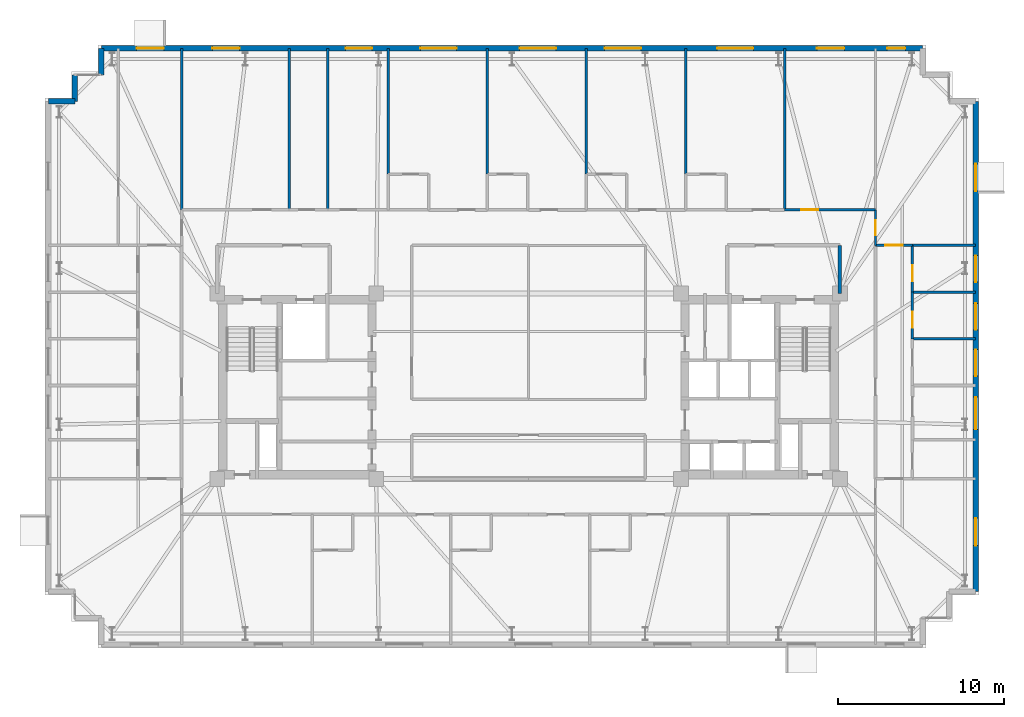
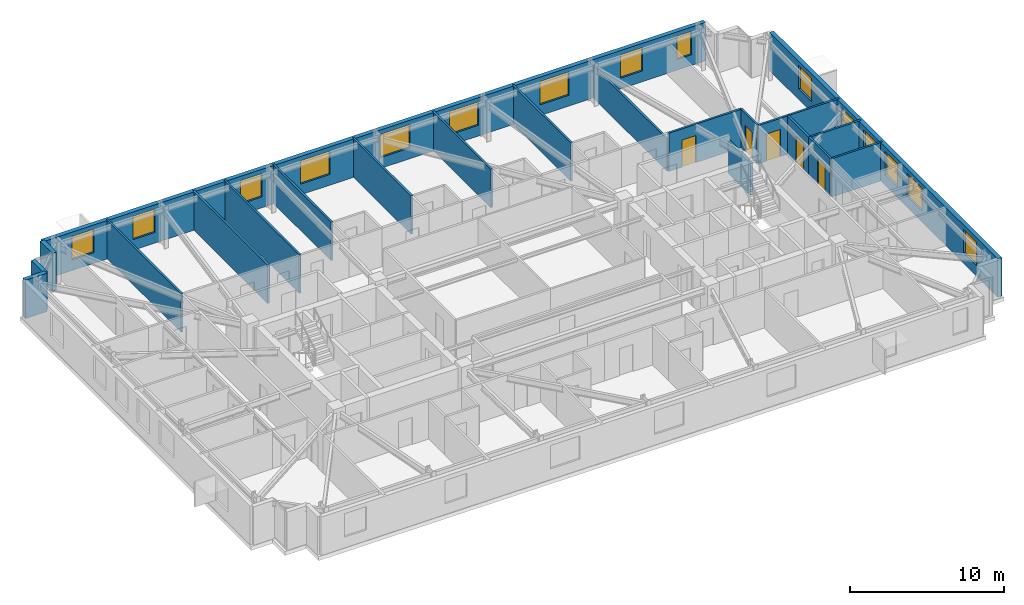
# One storey, part 15 of 18: 22 walls, 15 windows, 5 doors, 20 openings.
"""IFC4 building model written with IfcOpenShell, lengths in metres."""

from ifc_helpers import new_model, si_unit, direction, frame, frame_2d, origin, place, context, subcontext, project, spatial, rectangle, extrude, material, layer, layer_set, type_object, element, fill, save


model = new_model("IFC4")

# Units and contexts
model_context = context("Model", 3, precision=1e-05, world=origin(), true_north=direction((0.0, 1.0)))
body_context = subcontext(model_context, "Body", "Model", "MODEL_VIEW")
ifc_project = project(units=[si_unit("LENGTHUNIT", "METRE"), si_unit("AREAUNIT", "SQUARE_METRE"), si_unit("VOLUMEUNIT", "CUBIC_METRE"), si_unit("PLANEANGLEUNIT", "RADIAN"), si_unit("MASSUNIT", "GRAM", prefix="KILO")], contexts=[model_context])

# Site, building, storey
site_placement = place(None, origin())
site = spatial("IfcSite", under=ifc_project, at=site_placement, CompositionType="ELEMENT")
building_placement = place(site_placement, origin())
building = spatial("IfcBuilding", under=site, at=building_placement, Name="Qobustan Lattice House", CompositionType="ELEMENT")
storey_placement = place(building_placement, frame((0.0, 0.0, 141.050048828125)))
storey = spatial("IfcBuildingStorey", under=building, at=storey_placement, Name="L39", CompositionType="ELEMENT", Elevation=141.050048828125)

# Walls
ifc_material_1 = material(Name="Precast concrete C40/50", Category="concrete")
ifc_layer_1 = layer(ifc_material_1, 0.320068359375)
ifc_layer_set_1 = layer_set([ifc_layer_1], Name="Precast concrete C40/50")
wall_type_1 = type_object("IfcWallType", Name="WAL-EXT-STONE-320", PredefinedType="SOLIDWALL", material=ifc_layer_set_1)
for number, where, z_axis, x_axis, name in (
    (1, (-29.0, 17.199951171875, 0.0), (0.0, 0.0, 1.0), (1.0, 0.0, 0.0), "L39 exterior limestone-clad wall 6"),
    (2, (-27.39990234375, 17.199951171875, 0.0), (0.0, 0.0, 1.0), (0.0, 1.0, 0.0), "L39 exterior limestone-clad wall 7"),
):
    element("IfcWall", number, at=place(storey_placement, frame(where, z_axis=z_axis, x_axis=x_axis)), inside=storey, type_object=wall_type_1, Name=name, PredefinedType="SOLIDWALL", context=body_context, shape_type="SweptSolid", body=[
        extrude(rectangle(XDim=1.60009765625, YDim=0.320068359375, at=frame_2d((0.800048828125, 0.0))), origin(), (0.0, 0.0, 1.0), 3.0400390625),
    ])
wall_1_placement = place(storey_placement, frame((-25.800048828125, 18.800048828125, 0.0), z_axis=(0.0, 0.0, 1.0), x_axis=(0.0, 1.0, 0.0)))
element("IfcWall", 3, at=wall_1_placement, inside=storey, type_object=wall_type_1, Name="L39 exterior limestone-clad wall 9", PredefinedType="SOLIDWALL", context=body_context, shape_type="SweptSolid", body=[
    extrude(rectangle(XDim=1.599853515625, YDim=0.320068359375, at=frame_2d((0.7998046875, 0.0))), origin(), (0.0, 0.0, 1.0), 3.0400390625),
])

# Wall, openings, windows
wall_2_placement = place(storey_placement, frame((-25.800048828125, 20.39990234375, 0.0), z_axis=(0.0, 0.0, 1.0), x_axis=(1.0, 0.0, 0.0)))
wall_2 = element("IfcWall", 4, at=wall_2_placement, inside=storey, type_object=wall_type_1, Name="L39 exterior limestone-clad wall 10", PredefinedType="SOLIDWALL", context=body_context, shape_type="SweptSolid", body=[
    extrude(rectangle(XDim=49.60009765625, YDim=0.320068359375, at=frame_2d((24.800048828125, 0.0))), origin(), (0.0, 0.0, 1.0), 3.0400390625),
])
opening_1_placement = place(wall_2_placement, frame((2.135009765625, 0.0, 0.85009765625)))
opening_1 = element("IfcOpeningElement", 5, at=opening_1_placement, cuts=wall_2, Name="Opening WN-09", PredefinedType="OPENING", context=body_context, shape_type="SweptSolid", body=[
    extrude(rectangle(XDim=1.64990234375, YDim=1.85009765625, at=frame_2d((0.824951171875, 0.925048828125))), frame((0.0, 0.169921875, 0.0), z_axis=(0.0, -1.0, 0.0), x_axis=(1.0, 0.0, 0.0)), (0.0, 0.0, 1.0), 0.340087890625),
])
opening_2_placement = place(wall_2_placement, frame((6.70556640625, 0.0, 0.85009765625)))
opening_2 = element("IfcOpeningElement", 6, at=opening_2_placement, cuts=wall_2, Name="Opening WN-09", PredefinedType="OPENING", context=body_context, shape_type="SweptSolid", body=[
    extrude(rectangle(XDim=1.64990234375, YDim=1.85009765625, at=frame_2d((0.824951171875, 0.925048828125))), frame((0.0, 0.169921875, 0.0), z_axis=(0.0, -1.0, 0.0), x_axis=(1.0, 0.0, 0.0)), (0.0, 0.0, 1.0), 0.340087890625),
])
opening_3_placement = place(wall_2_placement, frame((14.760009765625, 0.0, 0.85009765625)))
opening_3 = element("IfcOpeningElement", 7, at=opening_3_placement, cuts=wall_2, Name="Opening WN-13", PredefinedType="OPENING", context=body_context, shape_type="SweptSolid", body=[
    extrude(rectangle(XDim=1.60009765625, YDim=1.85009765625, at=frame_2d((0.800048828125, 0.925048828125))), frame((0.0, 0.169921875, 0.0), z_axis=(0.0, -1.0, 0.0), x_axis=(1.0, 0.0, 0.0)), (0.0, 0.0, 1.0), 0.340087890625),
])
opening_4_placement = place(wall_2_placement, frame((19.260009765625, 0.0, 0.85009765625)))
opening_4 = element("IfcOpeningElement", 8, at=opening_4_placement, cuts=wall_2, Name="Opening WN-03", PredefinedType="OPENING", context=body_context, shape_type="SweptSolid", body=[
    extrude(rectangle(XDim=2.199951171875, YDim=1.85009765625, at=frame_2d((1.10009765625, 0.925048828125))), frame((0.0, 0.169921875, 0.0), z_axis=(0.0, -1.0, 0.0), x_axis=(1.0, 0.0, 0.0)), (0.0, 0.0, 1.0), 0.340087890625),
])
opening_5_placement = place(wall_2_placement, frame((25.260009765625, 0.0, 0.85009765625)))
opening_5 = element("IfcOpeningElement", 9, at=opening_5_placement, cuts=wall_2, Name="Opening WN-03", PredefinedType="OPENING", context=body_context, shape_type="SweptSolid", body=[
    extrude(rectangle(XDim=2.199951171875, YDim=1.85009765625, at=frame_2d((1.10009765625, 0.925048828125))), frame((0.0, 0.169921875, 0.0), z_axis=(0.0, -1.0, 0.0), x_axis=(1.0, 0.0, 0.0)), (0.0, 0.0, 1.0), 0.340087890625),
])
opening_6_placement = place(wall_2_placement, frame((30.39990234375, 0.0, 0.85009765625)))
opening_6 = element("IfcOpeningElement", 10, at=opening_6_placement, cuts=wall_2, Name="Opening WN-03", PredefinedType="OPENING", context=body_context, shape_type="SweptSolid", body=[
    extrude(rectangle(XDim=2.199951171875, YDim=1.85009765625, at=frame_2d((1.10009765625, 0.925048828125))), frame((0.0, 0.169921875, 0.0), z_axis=(0.0, -1.0, 0.0), x_axis=(1.0, 0.0, 0.0)), (0.0, 0.0, 1.0), 0.340087890625),
])
opening_7_placement = place(wall_2_placement, frame((37.179931640625, 0.0, 0.85009765625)))
opening_7 = element("IfcOpeningElement", 11, at=opening_7_placement, cuts=wall_2, Name="Opening WN-03", PredefinedType="OPENING", context=body_context, shape_type="SweptSolid", body=[
    extrude(rectangle(XDim=2.199951171875, YDim=1.85009765625, at=frame_2d((1.10009765625, 0.925048828125))), frame((0.0, 0.169921875, 0.0), z_axis=(0.0, -1.0, 0.0), x_axis=(1.0, 0.0, 0.0)), (0.0, 0.0, 1.0), 0.340087890625),
])
opening_8_placement = place(wall_2_placement, frame((43.215087890625, 0.0, 0.85009765625)))
opening_8 = element("IfcOpeningElement", 12, at=opening_8_placement, cuts=wall_2, Name="Opening WN-09", PredefinedType="OPENING", context=body_context, shape_type="SweptSolid", body=[
    extrude(rectangle(XDim=1.64990234375, YDim=1.85009765625, at=frame_2d((0.824951171875, 0.925048828125))), frame((0.0, 0.169921875, 0.0), z_axis=(0.0, -1.0, 0.0), x_axis=(1.0, 0.0, 0.0)), (0.0, 0.0, 1.0), 0.340087890625),
])
opening_9_placement = place(wall_2_placement, frame((47.449951171875, 0.0, 0.85009765625)))
opening_9 = element("IfcOpeningElement", 13, at=opening_9_placement, cuts=wall_2, Name="Opening WN-04", PredefinedType="OPENING", context=body_context, shape_type="SweptSolid", body=[
    extrude(rectangle(XDim=1.10009765625, YDim=1.85009765625, at=frame_2d((0.550048828125, 0.925048828125))), frame((0.0, 0.169921875, 0.0), z_axis=(0.0, -1.0, 0.0), x_axis=(1.0, 0.0, 0.0)), (0.0, 0.0, 1.0), 0.340087890625),
])
ifc_material_2 = material(Name="Double-glazed low-E aluminium window", Category="aluminium")
window_type_1 = type_object("IfcWindowType", Name="WIN-BED-1600x1850", PartitioningType="SINGLE_PANEL", PredefinedType="WINDOW", material=ifc_material_2)
window_1_placement = place(opening_3_placement, origin())
window_1 = element("IfcWindow", 14, at=window_1_placement, inside=storey, type_object=window_type_1, Name="L39 Laundry utility room window", OverallHeight=1.85009765625, OverallWidth=1.60009765625, PartitioningType="SINGLE_PANEL", PredefinedType="WINDOW", context=body_context, shape_type="SweptSolid", body=[
    extrude(rectangle(XDim=1.60009765625, YDim=1.85009765625, at=frame_2d((0.800048828125, 0.925048828125))), frame((0.0, 0.030029296875, 0.0), z_axis=(0.0, -1.0, 0.0), x_axis=(1.0, 0.0, 0.0)), (0.0, 0.0, 1.0), 0.06005859375),
])
fill(opening_3, window_1)
ifc_material_3 = material(Name="Double-glazed low-E aluminium window", Category="aluminium")
window_type_2 = type_object("IfcWindowType", Name="WIN-NAR-1100x1850", PartitioningType="SINGLE_PANEL", PredefinedType="WINDOW", material=ifc_material_3)
window_2_placement = place(opening_9_placement, origin())
window_2 = element("IfcWindow", 15, at=window_2_placement, inside=storey, type_object=window_type_2, Name="L39 Reading study room L39EN window", OverallHeight=1.85009765625, OverallWidth=1.10009765625, PartitioningType="SINGLE_PANEL", PredefinedType="WINDOW", context=body_context, shape_type="SweptSolid", body=[
    extrude(rectangle(XDim=1.10009765625, YDim=1.85009765625, at=frame_2d((0.550048828125, 0.925048828125))), frame((0.0, 0.030029296875, 0.0), z_axis=(0.0, -1.0, 0.0), x_axis=(1.0, 0.0, 0.0)), (0.0, 0.0, 1.0), 0.06005859375),
])
fill(opening_9, window_2)
ifc_material_4 = material(Name="Double-glazed low-E aluminium window", Category="aluminium")
window_type_3 = type_object("IfcWindowType", Name="WIN-STU-1650x1850", PartitioningType="SINGLE_PANEL", PredefinedType="WINDOW", material=ifc_material_4)
window_3_placement = place(opening_1_placement, origin())
window_3 = element("IfcWindow", 16, at=window_3_placement, inside=storey, type_object=window_type_3, Name="L39 Reading seminar room L39WN window", OverallHeight=1.85009765625, OverallWidth=1.64990234375, PartitioningType="SINGLE_PANEL", PredefinedType="WINDOW", context=body_context, shape_type="SweptSolid", body=[
    extrude(rectangle(XDim=1.64990234375, YDim=1.85009765625, at=frame_2d((0.824951171875, 0.925048828125))), frame((0.0, 0.030029296875, 0.0), z_axis=(0.0, -1.0, 0.0), x_axis=(1.0, 0.0, 0.0)), (0.0, 0.0, 1.0), 0.06005859375),
])
fill(opening_1, window_3)
window_4_placement = place(opening_2_placement, origin())
window_4 = element("IfcWindow", 17, at=window_4_placement, inside=storey, type_object=window_type_3, Name="L39 Focus study room N1 window", OverallHeight=1.85009765625, OverallWidth=1.64990234375, PartitioningType="SINGLE_PANEL", PredefinedType="WINDOW", context=body_context, shape_type="SweptSolid", body=[
    extrude(rectangle(XDim=1.64990234375, YDim=1.85009765625, at=frame_2d((0.824951171875, 0.925048828125))), frame((0.0, 0.030029296875, 0.0), z_axis=(0.0, -1.0, 0.0), x_axis=(1.0, 0.0, 0.0)), (0.0, 0.0, 1.0), 0.06005859375),
])
fill(opening_2, window_4)
window_5_placement = place(opening_8_placement, origin())
window_5 = element("IfcWindow", 18, at=window_5_placement, inside=storey, type_object=window_type_3, Name="L39 Focus study room N7 window", OverallHeight=1.85009765625, OverallWidth=1.64990234375, PartitioningType="SINGLE_PANEL", PredefinedType="WINDOW", context=body_context, shape_type="SweptSolid", body=[
    extrude(rectangle(XDim=1.64990234375, YDim=1.85009765625, at=frame_2d((0.824951171875, 0.925048828125))), frame((0.0, 0.030029296875, 0.0), z_axis=(0.0, -1.0, 0.0), x_axis=(1.0, 0.0, 0.0)), (0.0, 0.0, 1.0), 0.06005859375),
])
fill(opening_8, window_5)
ifc_material_5 = material(Name="Double-glazed low-E aluminium window", Category="aluminium")
window_type_4 = type_object("IfcWindowType", Name="WIN-WIDE-2200x1850", PartitioningType="SINGLE_PANEL", PredefinedType="WINDOW", material=ifc_material_5)
window_6_placement = place(opening_4_placement, origin())
window_6 = element("IfcWindow", 19, at=window_6_placement, inside=storey, type_object=window_type_4, Name="L39 Kitchenette and studio apartment L39-N3 window", OverallHeight=1.85009765625, OverallWidth=2.199951171875, PartitioningType="SINGLE_PANEL", PredefinedType="WINDOW", context=body_context, shape_type="SweptSolid", body=[
    extrude(rectangle(XDim=2.199951171875, YDim=1.85009765625, at=frame_2d((1.10009765625, 0.925048828125))), frame((0.0, 0.030029296875, 0.0), z_axis=(0.0, -1.0, 0.0), x_axis=(1.0, 0.0, 0.0)), (0.0, 0.0, 1.0), 0.06005859375),
])
fill(opening_4, window_6)
window_7_placement = place(opening_5_placement, origin())
window_7 = element("IfcWindow", 20, at=window_7_placement, inside=storey, type_object=window_type_4, Name="L39 Kitchenette and studio apartment L39-N4 window", OverallHeight=1.85009765625, OverallWidth=2.199951171875, PartitioningType="SINGLE_PANEL", PredefinedType="WINDOW", context=body_context, shape_type="SweptSolid", body=[
    extrude(rectangle(XDim=2.199951171875, YDim=1.85009765625, at=frame_2d((1.10009765625, 0.925048828125))), frame((0.0, 0.030029296875, 0.0), z_axis=(0.0, -1.0, 0.0), x_axis=(1.0, 0.0, 0.0)), (0.0, 0.0, 1.0), 0.06005859375),
])
fill(opening_5, window_7)
window_8_placement = place(opening_6_placement, origin())
window_8 = element("IfcWindow", 21, at=window_8_placement, inside=storey, type_object=window_type_4, Name="L39 Kitchenette and studio apartment L39-N5 window", OverallHeight=1.85009765625, OverallWidth=2.199951171875, PartitioningType="SINGLE_PANEL", PredefinedType="WINDOW", context=body_context, shape_type="SweptSolid", body=[
    extrude(rectangle(XDim=2.199951171875, YDim=1.85009765625, at=frame_2d((1.10009765625, 0.925048828125))), frame((0.0, 0.030029296875, 0.0), z_axis=(0.0, -1.0, 0.0), x_axis=(1.0, 0.0, 0.0)), (0.0, 0.0, 1.0), 0.06005859375),
])
fill(opening_6, window_8)
window_9_placement = place(opening_7_placement, origin())
window_9 = element("IfcWindow", 22, at=window_9_placement, inside=storey, type_object=window_type_4, Name="L39 Kitchenette and studio apartment L39-N6 window", OverallHeight=1.85009765625, OverallWidth=2.199951171875, PartitioningType="SINGLE_PANEL", PredefinedType="WINDOW", context=body_context, shape_type="SweptSolid", body=[
    extrude(rectangle(XDim=2.199951171875, YDim=1.85009765625, at=frame_2d((1.10009765625, 0.925048828125))), frame((0.0, 0.030029296875, 0.0), z_axis=(0.0, -1.0, 0.0), x_axis=(1.0, 0.0, 0.0)), (0.0, 0.0, 1.0), 0.06005859375),
])
fill(opening_7, window_9)

wall_3_placement = place(storey_placement, frame((27.0, 17.199951171875, 0.0), z_axis=(0.0, 0.0, 1.0), x_axis=(0.0, -1.0, 0.0)))
wall_3 = element("IfcWall", 23, at=wall_3_placement, inside=storey, type_object=wall_type_1, Name="L39 exterior limestone-clad wall 15", PredefinedType="SOLIDWALL", context=body_context, shape_type="SweptSolid", body=[
    extrude(rectangle(XDim=29.599853515625, YDim=0.320068359375, at=frame_2d((14.7998046875, 0.0))), origin(), (0.0, 0.0, 1.0), 3.0400390625),
])
opening_10_placement = place(wall_3_placement, frame((3.77490234375, 0.0, 0.85009765625)))
opening_10 = element("IfcOpeningElement", 24, at=opening_10_placement, cuts=wall_3, Name="Opening WN-09", PredefinedType="OPENING", context=body_context, shape_type="SweptSolid", body=[
    extrude(rectangle(XDim=1.64990234375, YDim=1.85009765625, at=frame_2d((0.824951171875, 0.925048828125))), frame((0.0, 0.169921875, 0.0), z_axis=(0.0, -1.0, 0.0), x_axis=(1.0, 0.0, 0.0)), (0.0, 0.0, 1.0), 0.340087890625),
])
opening_11_placement = place(wall_3_placement, frame((9.320068359375, 0.0, 0.85009765625)))
opening_11 = element("IfcOpeningElement", 25, at=opening_11_placement, cuts=wall_3, Name="Opening WN-13", PredefinedType="OPENING", context=body_context, shape_type="SweptSolid", body=[
    extrude(rectangle(XDim=1.60009765625, YDim=1.85009765625, at=frame_2d((0.800048828125, 0.925048828125))), frame((0.0, 0.169921875, 0.0), z_axis=(0.0, -1.0, 0.0), x_axis=(1.0, 0.0, 0.0)), (0.0, 0.0, 1.0), 0.340087890625),
])
opening_12_placement = place(wall_3_placement, frame((12.199951171875, 0.0, 0.85009765625)))
opening_12 = element("IfcOpeningElement", 26, at=opening_12_placement, cuts=wall_3, Name="Opening WN-13", PredefinedType="OPENING", context=body_context, shape_type="SweptSolid", body=[
    extrude(rectangle(XDim=1.60009765625, YDim=1.85009765625, at=frame_2d((0.800048828125, 0.925048828125))), frame((0.0, 0.169921875, 0.0), z_axis=(0.0, -1.0, 0.0), x_axis=(1.0, 0.0, 0.0)), (0.0, 0.0, 1.0), 0.340087890625),
])
opening_13_placement = place(wall_3_placement, frame((15.0, 0.0, 0.85009765625)))
opening_13 = element("IfcOpeningElement", 27, at=opening_13_placement, cuts=wall_3, Name="Opening WN-13", PredefinedType="OPENING", context=body_context, shape_type="SweptSolid", body=[
    extrude(rectangle(XDim=1.60009765625, YDim=1.85009765625, at=frame_2d((0.800048828125, 0.925048828125))), frame((0.0, 0.169921875, 0.0), z_axis=(0.0, -1.0, 0.0), x_axis=(1.0, 0.0, 0.0)), (0.0, 0.0, 1.0), 0.340087890625),
])
opening_14_placement = place(wall_3_placement, frame((17.864990234375, 0.0, 0.85009765625)))
opening_14 = element("IfcOpeningElement", 28, at=opening_14_placement, cuts=wall_3, Name="Opening WN-08", PredefinedType="OPENING", context=body_context, shape_type="SweptSolid", body=[
    extrude(rectangle(XDim=1.949951171875, YDim=1.85009765625, at=frame_2d((0.97509765625, 0.925048828125))), frame((0.0, 0.169921875, 0.0), z_axis=(0.0, -1.0, 0.0), x_axis=(1.0, 0.0, 0.0)), (0.0, 0.0, 1.0), 0.340087890625),
])
opening_15_placement = place(wall_3_placement, frame((25.175048828125, 0.0, 0.85009765625)))
opening_15 = element("IfcOpeningElement", 29, at=opening_15_placement, cuts=wall_3, Name="Opening WN-09", PredefinedType="OPENING", context=body_context, shape_type="SweptSolid", body=[
    extrude(rectangle(XDim=1.64990234375, YDim=1.85009765625, at=frame_2d((0.824951171875, 0.925048828125))), frame((0.0, 0.169921875, 0.0), z_axis=(0.0, -1.0, 0.0), x_axis=(1.0, 0.0, 0.0)), (0.0, 0.0, 1.0), 0.340087890625),
])
window_10_placement = place(opening_11_placement, origin())
window_10 = element("IfcWindow", 30, at=window_10_placement, inside=storey, type_object=window_type_1, Name="L39 Cluster bedroom L39E3 window", OverallHeight=1.85009765625, OverallWidth=1.60009765625, PartitioningType="SINGLE_PANEL", PredefinedType="WINDOW", context=body_context, shape_type="SweptSolid", body=[
    extrude(rectangle(XDim=1.60009765625, YDim=1.85009765625, at=frame_2d((0.800048828125, 0.925048828125))), frame((0.0, 0.030029296875, 0.0), z_axis=(0.0, -1.0, 0.0), x_axis=(1.0, 0.0, 0.0)), (0.0, 0.0, 1.0), 0.06005859375),
])
fill(opening_11, window_10)
window_11_placement = place(opening_12_placement, origin())
window_11 = element("IfcWindow", 31, at=window_11_placement, inside=storey, type_object=window_type_1, Name="L39 Cluster bedroom L39E2 window", OverallHeight=1.85009765625, OverallWidth=1.60009765625, PartitioningType="SINGLE_PANEL", PredefinedType="WINDOW", context=body_context, shape_type="SweptSolid", body=[
    extrude(rectangle(XDim=1.60009765625, YDim=1.85009765625, at=frame_2d((0.800048828125, 0.925048828125))), frame((0.0, 0.030029296875, 0.0), z_axis=(0.0, -1.0, 0.0), x_axis=(1.0, 0.0, 0.0)), (0.0, 0.0, 1.0), 0.06005859375),
])
fill(opening_12, window_11)
window_12_placement = place(opening_13_placement, origin())
window_12 = element("IfcWindow", 32, at=window_12_placement, inside=storey, type_object=window_type_1, Name="L39 Cluster bedroom L39E1 window", OverallHeight=1.85009765625, OverallWidth=1.60009765625, PartitioningType="SINGLE_PANEL", PredefinedType="WINDOW", context=body_context, shape_type="SweptSolid", body=[
    extrude(rectangle(XDim=1.60009765625, YDim=1.85009765625, at=frame_2d((0.800048828125, 0.925048828125))), frame((0.0, 0.030029296875, 0.0), z_axis=(0.0, -1.0, 0.0), x_axis=(1.0, 0.0, 0.0)), (0.0, 0.0, 1.0), 0.06005859375),
])
fill(opening_13, window_12)
ifc_material_6 = material(Name="Double-glazed low-E aluminium window", Category="aluminium")
window_type_5 = type_object("IfcWindowType", Name="WIN-KIT-1950x1850", PartitioningType="SINGLE_PANEL", PredefinedType="WINDOW", material=ifc_material_6)
window_13_placement = place(opening_14_placement, origin())
window_13 = element("IfcWindow", 33, at=window_13_placement, inside=storey, type_object=window_type_5, Name="L39 Shared kitchen L39E window", OverallHeight=1.85009765625, OverallWidth=1.949951171875, PartitioningType="SINGLE_PANEL", PredefinedType="WINDOW", context=body_context, shape_type="SweptSolid", body=[
    extrude(rectangle(XDim=1.949951171875, YDim=1.85009765625, at=frame_2d((0.97509765625, 0.925048828125))), frame((0.0, 0.030029296875, 0.0), z_axis=(0.0, -1.0, 0.0), x_axis=(1.0, 0.0, 0.0)), (0.0, 0.0, 1.0), 0.06005859375),
])
fill(opening_14, window_13)
window_14_placement = place(opening_10_placement, origin())
window_14 = element("IfcWindow", 34, at=window_14_placement, inside=storey, type_object=window_type_3, Name="L39 Reading study room L39EN window", OverallHeight=1.85009765625, OverallWidth=1.64990234375, PartitioningType="SINGLE_PANEL", PredefinedType="WINDOW", context=body_context, shape_type="SweptSolid", body=[
    extrude(rectangle(XDim=1.64990234375, YDim=1.85009765625, at=frame_2d((0.824951171875, 0.925048828125))), frame((0.0, 0.030029296875, 0.0), z_axis=(0.0, -1.0, 0.0), x_axis=(1.0, 0.0, 0.0)), (0.0, 0.0, 1.0), 0.06005859375),
])
fill(opening_10, window_14)
window_15_placement = place(opening_15_placement, origin())
window_15 = element("IfcWindow", 35, at=window_15_placement, inside=storey, type_object=window_type_3, Name="L39 Reading study room L39ES window", OverallHeight=1.85009765625, OverallWidth=1.64990234375, PartitioningType="SINGLE_PANEL", PredefinedType="WINDOW", context=body_context, shape_type="SweptSolid", body=[
    extrude(rectangle(XDim=1.64990234375, YDim=1.85009765625, at=frame_2d((0.824951171875, 0.925048828125))), frame((0.0, 0.030029296875, 0.0), z_axis=(0.0, -1.0, 0.0), x_axis=(1.0, 0.0, 0.0)), (0.0, 0.0, 1.0), 0.06005859375),
])
fill(opening_15, window_15)

# Wall, opening, door
ifc_material_7 = material(Name="Acoustic twin-stud gypsum partition", Category="gypsum")
ifc_layer_2 = layer(ifc_material_7, 0.14990234375)
ifc_layer_set_2 = layer_set([ifc_layer_2], Name="Acoustic twin-stud gypsum partition")
wall_type_2 = type_object("IfcWallType", Name="WAL-PART-150", PredefinedType="PARTITIONING", material=ifc_layer_set_2)
wall_4_placement = place(storey_placement, frame((20.949951171875, 10.64990234375, 0.0), z_axis=(0.0, 0.0, 1.0), x_axis=(0.0, -1.0, 0.0)))
wall_4 = element("IfcWall", 36, at=wall_4_placement, inside=storey, type_object=wall_type_2, Name="L39 interior partition 39", PredefinedType="PARTITIONING", context=body_context, shape_type="SweptSolid", body=[
    extrude(rectangle(XDim=2.14990234375, YDim=0.14990234375, at=frame_2d((1.074951171875, 0.0))), origin(), (0.0, 0.0, 1.0), 3.0400390625),
])
opening_16_placement = place(wall_4_placement, frame((0.625, 0.0, 0.0)))
opening_16 = element("IfcOpeningElement", 37, at=opening_16_placement, cuts=wall_4, Name="Opening WD-01", PredefinedType="OPENING", context=body_context, shape_type="SweptSolid", body=[
    extrude(rectangle(XDim=0.89990234375, YDim=2.10009765625, at=frame_2d((0.449951171875, 1.050048828125))), frame((0.0, 0.0849609375, 0.0), z_axis=(0.0, -1.0, 0.0), x_axis=(1.0, 0.0, 0.0)), (0.0, 0.0, 1.0), 0.169921875),
])
ifc_material_8 = material(Name="Persian walnut timber and steel frame door", Category="steel")
door_type_1 = type_object("IfcDoorType", Name="DOR-WET-900x2100", OperationType="NOTDEFINED", PredefinedType="DOOR", material=ifc_material_8)
door_1_placement = place(opening_16_placement, origin())
door_1 = element("IfcDoor", 38, at=door_1_placement, inside=storey, type_object=door_type_1, Name="L39 North-east floor corridor to Reading study room L39EN door", OperationType="SINGLE_SWING_RIGHT", OverallHeight=2.10009765625, OverallWidth=0.89990234375, PredefinedType="DOOR", context=body_context, shape_type="SweptSolid", body=[
    extrude(rectangle(XDim=0.89990234375, YDim=2.10009765625, at=frame_2d((0.449951171875, 1.050048828125))), frame((0.0, 0.02490234375, 0.0), z_axis=(0.0, -1.0, 0.0), x_axis=(1.0, 0.0, 0.0)), (0.0, 0.0, 1.0), 0.050048828125),
])
fill(opening_16, door_1)

wall_5_placement = place(storey_placement, frame((15.464111328125, 10.64990234375, 0.0), z_axis=(0.0, 0.0, 1.0), x_axis=(1.0, 0.0, 0.0)))
wall_5 = element("IfcWall", 39, at=wall_5_placement, inside=storey, type_object=wall_type_2, Name="L39 interior partition 45", PredefinedType="PARTITIONING", context=body_context, shape_type="SweptSolid", body=[
    extrude(rectangle(XDim=5.48583984375, YDim=0.14990234375, at=frame_2d((2.742919921875, 0.0))), origin(), (0.0, 0.0, 1.0), 3.0400390625),
])
opening_17_placement = place(wall_5_placement, frame((0.989501953125, 0.0, 0.0)))
opening_17 = element("IfcOpeningElement", 40, at=opening_17_placement, cuts=wall_5, Name="Opening ID-02", PredefinedType="OPENING", context=body_context, shape_type="SweptSolid", body=[
    extrude(rectangle(XDim=1.050048828125, YDim=2.14990234375, at=frame_2d((0.52490234375, 1.074951171875))), frame((0.0, 0.0849609375, 0.0), z_axis=(0.0, -1.0, 0.0), x_axis=(1.0, 0.0, 0.0)), (0.0, 0.0, 1.0), 0.169921875),
])
ifc_material_9 = material(Name="Persian walnut timber and steel frame door", Category="steel")
door_type_2 = type_object("IfcDoorType", Name="DOR-STUDY-1050x2150", OperationType="NOTDEFINED", PredefinedType="DOOR", material=ifc_material_9)
door_2_placement = place(opening_17_placement, origin())
door_2 = element("IfcDoor", 41, at=door_2_placement, inside=storey, type_object=door_type_2, Name="L39 North-east floor corridor to Focus study room N7 door", OperationType="SINGLE_SWING_RIGHT", OverallHeight=2.14990234375, OverallWidth=1.050048828125, PredefinedType="DOOR", context=body_context, shape_type="SweptSolid", body=[
    extrude(rectangle(XDim=1.050048828125, YDim=2.14990234375, at=frame_2d((0.52490234375, 1.074951171875))), frame((0.0, 0.02490234375, 0.0), z_axis=(0.0, -1.0, 0.0), x_axis=(1.0, 0.0, 0.0)), (0.0, 0.0, 1.0), 0.050048828125),
])
fill(opening_17, door_2)

# Wall
wall_6_placement = place(storey_placement, frame((-20.949951171875, 20.39990234375, 0.0), z_axis=(0.0, 0.0, 1.0), x_axis=(0.0, -1.0, 0.0)))
element("IfcWall", 42, at=wall_6_placement, inside=storey, type_object=wall_type_2, Name="L39 interior partition 78", PredefinedType="PARTITIONING", context=body_context, shape_type="SweptSolid", body=[
    extrude(rectangle(XDim=9.75, YDim=0.14990234375, at=frame_2d((4.875, 0.0))), origin(), (0.0, 0.0, 1.0), 3.0400390625),
])

# Wall, opening, door
wall_7_placement = place(storey_placement, frame((20.949951171875, 8.5, 0.0), z_axis=(0.0, 0.0, 1.0), x_axis=(1.0, 0.0, 0.0)))
wall_7 = element("IfcWall", 43, at=wall_7_placement, inside=storey, type_object=wall_type_2, Name="L39 interior partition 86", PredefinedType="PARTITIONING", context=body_context, shape_type="SweptSolid", body=[
    extrude(rectangle(XDim=2.22998046875, YDim=0.14990234375, at=frame_2d((1.114990234375, 0.0))), origin(), (0.0, 0.0, 1.0), 3.0400390625),
])
opening_18_placement = place(wall_7_placement, frame((0.590087890625, 0.0, 0.0)))
opening_18 = element("IfcOpeningElement", 44, at=opening_18_placement, cuts=wall_7, Name="Opening ID-02", PredefinedType="OPENING", context=body_context, shape_type="SweptSolid", body=[
    extrude(rectangle(XDim=1.050048828125, YDim=2.14990234375, at=frame_2d((0.52490234375, 1.074951171875))), frame((0.0, 0.0849609375, 0.0), z_axis=(0.0, -1.0, 0.0), x_axis=(1.0, 0.0, 0.0)), (0.0, 0.0, 1.0), 0.169921875),
])
door_3_placement = place(opening_18_placement, origin())
door_3 = element("IfcDoor", 45, at=door_3_placement, inside=storey, type_object=door_type_2, Name="L39 Residence entrance hall L39E to Reading study room L39EN door", OperationType="SINGLE_SWING_LEFT", OverallHeight=2.14990234375, OverallWidth=1.050048828125, PredefinedType="DOOR", context=body_context, shape_type="SweptSolid", body=[
    extrude(rectangle(XDim=1.050048828125, YDim=2.14990234375, at=frame_2d((0.52490234375, 1.074951171875))), frame((0.0, 0.02490234375, 0.0), z_axis=(0.0, -1.0, 0.0), x_axis=(1.0, 0.0, 0.0)), (0.0, 0.0, 1.0), 0.050048828125),
])
fill(opening_18, door_3)

wall_8_placement = place(storey_placement, frame((23.179931640625, 5.679931640625, 0.0), z_axis=(0.0, 0.0, 1.0), x_axis=(0.0, -1.0, 0.0)))
wall_8 = element("IfcWall", 46, at=wall_8_placement, inside=storey, type_object=wall_type_2, Name="L39 interior partition 91", PredefinedType="PARTITIONING", context=body_context, shape_type="SweptSolid", body=[
    extrude(rectangle(XDim=2.81982421875, YDim=0.14990234375, at=frame_2d((1.409912109375, 0.0))), origin(), (0.0, 0.0, 1.0), 3.0400390625),
])
opening_19_placement = place(wall_8_placement, frame((1.201171875, 0.0, 0.0)))
opening_19 = element("IfcOpeningElement", 47, at=opening_19_placement, cuts=wall_8, Name="Opening ID-01", PredefinedType="OPENING", context=body_context, shape_type="SweptSolid", body=[
    extrude(rectangle(XDim=0.949951171875, YDim=2.10009765625, at=frame_2d((0.47509765625, 1.050048828125))), frame((0.0, 0.0849609375, 0.0), z_axis=(0.0, -1.0, 0.0), x_axis=(1.0, 0.0, 0.0)), (0.0, 0.0, 1.0), 0.169921875),
])
ifc_material_10 = material(Name="Persian walnut timber and steel frame door", Category="steel")
door_type_3 = type_object("IfcDoorType", Name="DOR-ROOM-950x2100", OperationType="NOTDEFINED", PredefinedType="DOOR", material=ifc_material_10)
door_4_placement = place(opening_19_placement, origin())
door_4 = element("IfcDoor", 48, at=door_4_placement, inside=storey, type_object=door_type_3, Name="L39 Residence entrance hall L39E to Cluster bedroom L39E2 door", OperationType="SINGLE_SWING_RIGHT", OverallHeight=2.10009765625, OverallWidth=0.949951171875, PredefinedType="DOOR", context=body_context, shape_type="SweptSolid", body=[
    extrude(rectangle(XDim=0.949951171875, YDim=2.10009765625, at=frame_2d((0.47509765625, 1.050048828125))), frame((0.0, 0.02490234375, 0.0), z_axis=(0.0, -1.0, 0.0), x_axis=(1.0, 0.0, 0.0)), (0.0, 0.0, 1.0), 0.050048828125),
])
fill(opening_19, door_4)

wall_9_placement = place(storey_placement, frame((23.179931640625, 8.5, 0.0), z_axis=(0.0, 0.0, 1.0), x_axis=(0.0, -1.0, 0.0)))
wall_9 = element("IfcWall", 49, at=wall_9_placement, inside=storey, type_object=wall_type_2, Name="L39 interior partition 92", PredefinedType="PARTITIONING", context=body_context, shape_type="SweptSolid", body=[
    extrude(rectangle(XDim=2.820068359375, YDim=0.14990234375, at=frame_2d((1.41015625, 0.0))), origin(), (0.0, 0.0, 1.0), 3.0400390625),
])
opening_20_placement = place(wall_9_placement, frame((1.201171875, 0.0, 0.0)))
opening_20 = element("IfcOpeningElement", 50, at=opening_20_placement, cuts=wall_9, Name="Opening ID-01", PredefinedType="OPENING", context=body_context, shape_type="SweptSolid", body=[
    extrude(rectangle(XDim=0.949951171875, YDim=2.10009765625, at=frame_2d((0.47509765625, 1.050048828125))), frame((0.0, 0.0849609375, 0.0), z_axis=(0.0, -1.0, 0.0), x_axis=(1.0, 0.0, 0.0)), (0.0, 0.0, 1.0), 0.169921875),
])
door_5_placement = place(opening_20_placement, origin())
door_5 = element("IfcDoor", 51, at=door_5_placement, inside=storey, type_object=door_type_3, Name="L39 Residence entrance hall L39E to Cluster bedroom L39E3 door", OperationType="SINGLE_SWING_LEFT", OverallHeight=2.10009765625, OverallWidth=0.949951171875, PredefinedType="DOOR", context=body_context, shape_type="SweptSolid", body=[
    extrude(rectangle(XDim=0.949951171875, YDim=2.10009765625, at=frame_2d((0.47509765625, 1.050048828125))), frame((0.0, 0.02490234375, 0.0), z_axis=(0.0, -1.0, 0.0), x_axis=(1.0, 0.0, 0.0)), (0.0, 0.0, 1.0), 0.050048828125),
])
fill(opening_20, door_5)

# Walls
for number, where, z_axis, x_axis, name in (
    (52, (27.0, 8.5, 0.0), (0.0, 0.0, 1.0), (-1.0, 0.0, 0.0), "L39 interior partition 93"),
    (53, (23.179931640625, 2.860107421875, 0.0), (0.0, 0.0, 1.0), (1.0, 0.0, 0.0), "L39 interior partition 99"),
    (54, (23.179931640625, 5.679931640625, 0.0), (0.0, 0.0, 1.0), (1.0, 0.0, 0.0), "L39 interior partition 100"),
):
    element("IfcWall", number, at=place(storey_placement, frame(where, z_axis=z_axis, x_axis=x_axis)), inside=storey, type_object=wall_type_2, Name=name, PredefinedType="PARTITIONING", context=body_context, shape_type="SweptSolid", body=[
        extrude(rectangle(XDim=3.820068359375, YDim=0.14990234375, at=frame_2d((1.91015625, 0.0))), origin(), (0.0, 0.0, 1.0), 3.0400390625),
    ])
for number, where, z_axis, x_axis, name in (
    (55, (-8.47900390625, 20.39990234375, 0.0), (0.0, 0.0, 1.0), (0.0, -1.0, 0.0), "L39 interior partition 103"),
    (56, (-2.492919921875, 20.39990234375, 0.0), (0.0, 0.0, 1.0), (0.0, -1.0, 0.0), "L39 interior partition 107"),
    (57, (3.492919921875, 20.39990234375, 0.0), (0.0, 0.0, 1.0), (0.0, -1.0, 0.0), "L39 interior partition 111"),
    (58, (9.47900390625, 20.39990234375, 0.0), (0.0, 0.0, 1.0), (0.0, -1.0, 0.0), "L39 interior partition 115"),
):
    element("IfcWall", number, at=place(storey_placement, frame(where, z_axis=z_axis, x_axis=x_axis)), inside=storey, type_object=wall_type_2, Name=name, PredefinedType="PARTITIONING", context=body_context, shape_type="SweptSolid", body=[
        extrude(rectangle(XDim=7.599853515625, YDim=0.14990234375, at=frame_2d((3.7998046875, 0.0))), origin(), (0.0, 0.0, 1.0), 3.0400390625),
    ])
wall_10_placement = place(storey_placement, frame((15.464111328125, 20.39990234375, 0.0), z_axis=(0.0, 0.0, 1.0), x_axis=(0.0, -1.0, 0.0)))
element("IfcWall", 59, at=wall_10_placement, inside=storey, type_object=wall_type_2, Name="L39 interior partition 119", PredefinedType="PARTITIONING", context=body_context, shape_type="SweptSolid", body=[
    extrude(rectangle(XDim=9.75, YDim=0.14990234375, at=frame_2d((4.875, 0.0))), origin(), (0.0, 0.0, 1.0), 2.52490234375),
])
ifc_material_11 = material(Name="Two-hour gypsum fireboard acoustic partition", Category="gypsum")
ifc_layer_3 = layer(ifc_material_11, 0.199951171875)
ifc_layer_set_3 = layer_set([ifc_layer_3], Name="Two-hour gypsum fireboard acoustic partition")
wall_type_3 = type_object("IfcWallType", Name="WAL-PROT-200", PredefinedType="PARTITIONING", material=ifc_layer_set_3)
wall_11_placement = place(storey_placement, frame((18.800048828125, 5.60009765625, 0.0), z_axis=(0.0, 0.0, 1.0), x_axis=(0.0, 1.0, 0.0)))
element("IfcWall", 60, at=wall_11_placement, inside=storey, type_object=wall_type_3, Name="L39 interior partition 16", PredefinedType="PARTITIONING", context=body_context, shape_type="SweptSolid", body=[
    extrude(rectangle(XDim=2.89990234375, YDim=0.199951171875, at=frame_2d((1.449951171875, 0.0))), origin(), (0.0, 0.0, 1.0), 2.52490234375),
])
ifc_material_12 = material(Name="Moisture-resistant acoustic plumbing wall", Category="gypsum")
ifc_layer_4 = layer(ifc_material_12, 0.14990234375)
ifc_layer_set_4 = layer_set([ifc_layer_4], Name="Moisture-resistant acoustic plumbing wall")
wall_type_4 = type_object("IfcWallType", Name="WAL-WET-150", PredefinedType="PLUMBINGWALL", material=ifc_layer_set_4)
for number, where, z_axis, x_axis, name in (
    (61, (-14.464111328125, 20.39990234375, 0.0), (0.0, 0.0, 1.0), (0.0, -1.0, 0.0), "L39 interior partition 101"),
    (62, (-12.114013671875, 20.39990234375, 0.0), (0.0, 0.0, 1.0), (0.0, -1.0, 0.0), "L39 interior partition 102"),
):
    element("IfcWall", number, at=place(storey_placement, frame(where, z_axis=z_axis, x_axis=x_axis)), inside=storey, type_object=wall_type_4, Name=name, PredefinedType="PLUMBINGWALL", context=body_context, shape_type="SweptSolid", body=[
        extrude(rectangle(XDim=9.75, YDim=0.14990234375, at=frame_2d((4.875, 0.0))), origin(), (0.0, 0.0, 1.0), 3.0400390625),
    ])

save(model, "model.ifc")
